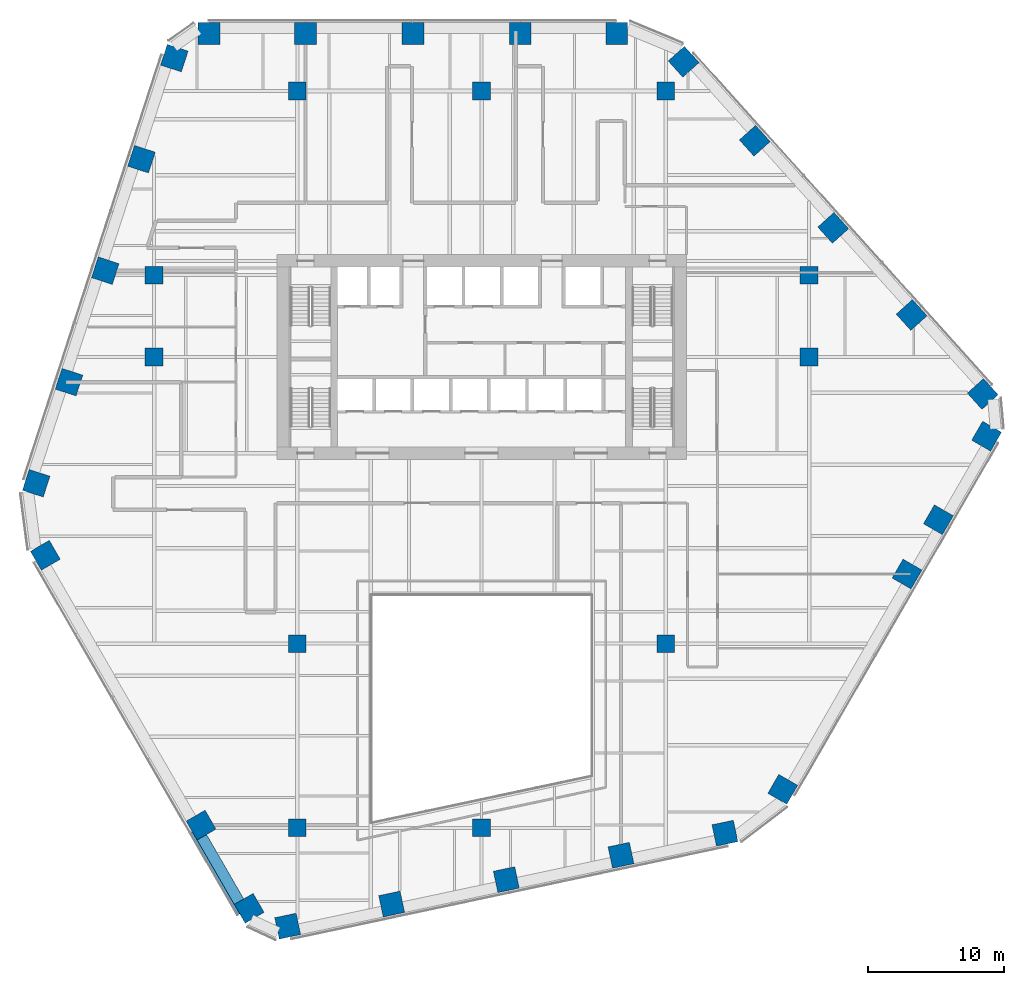
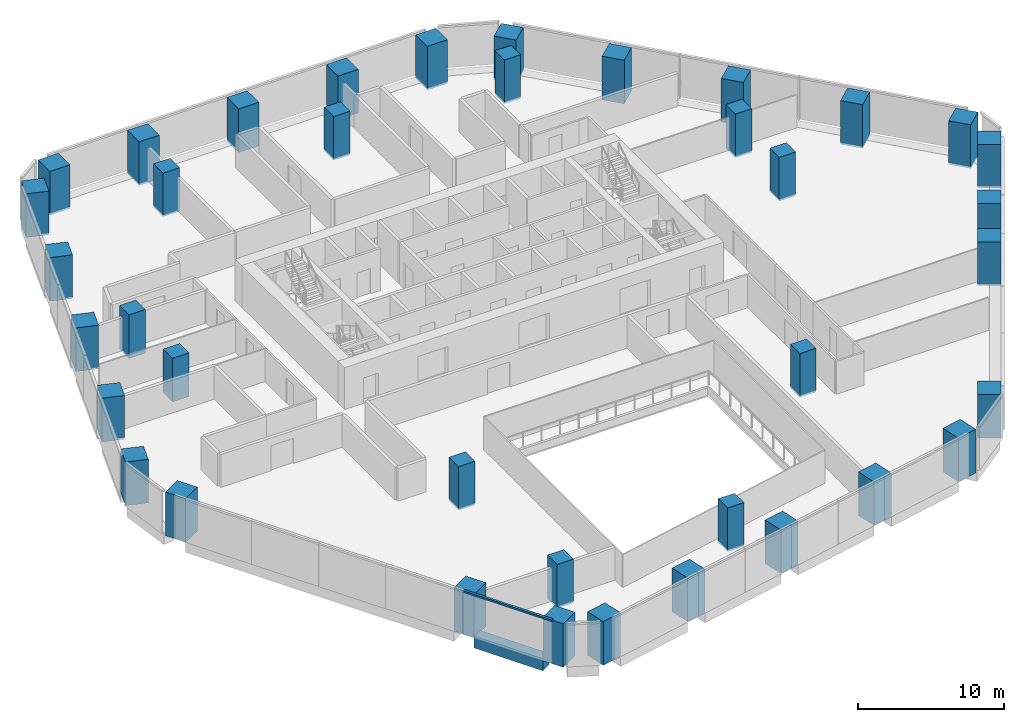
# One storey, part 1 of 21: 38 columns, 1 beam, 1 member, 1 element without a shape of its own.
"""IFC4 building model written with IfcOpenShell, lengths in metres."""

from ifc_helpers import new_model, si_unit, direction, frame, origin, origin_2d, place, context, subcontext, project, spatial, rectangle, extrude, material, layer, layer_set, material_profile, profile_set, type_object, element, aggregate, save


model = new_model("IFC4")

# Units and contexts
model_context = context("Model", 3, precision=1e-05, world=origin(), true_north=direction((0.0, 1.0)))
body_context = subcontext(model_context, "Body", "Model", "MODEL_VIEW")
ifc_project = project(units=[si_unit("LENGTHUNIT", "METRE"), si_unit("AREAUNIT", "SQUARE_METRE"), si_unit("VOLUMEUNIT", "CUBIC_METRE"), si_unit("PLANEANGLEUNIT", "RADIAN"), si_unit("MASSUNIT", "GRAM", prefix="KILO")], contexts=[model_context])

# Site, building, storey
site_placement = place(None, origin())
site = spatial("IfcSite", under=ifc_project, at=site_placement, CompositionType="ELEMENT")
building_placement = place(site_placement, origin())
building = spatial("IfcBuilding", under=site, at=building_placement, Name="Isthmus Gate Tower", CompositionType="ELEMENT")
storey_placement = place(building_placement, frame((0.0, 0.0, 106.199951171875)))
storey = spatial("IfcBuildingStorey", under=building, at=storey_placement, Name="L25", CompositionType="ELEMENT", Elevation=106.199951171875)

# Columns
ifc_material_1 = material(Name="Concrete f'c 70 MPa", Category="concrete")
ifc_material_profile_1 = material_profile(ifc_material_1, rectangle(XDim=1.300048828125, YDim=1.300048828125, at=origin_2d()), Name="RC 1300X1300")
ifc_profile_set_1 = profile_set([ifc_material_profile_1], Name="Concrete f'c 70 MPa")
column_type_1 = type_object("IfcColumnType", Name="RC INTERIOR COLUMN 1300 X 1300", PredefinedType="COLUMN", material=ifc_profile_set_1)
for number, where, z_axis, x_axis, name in (
    (1, (-24.0, 7.5, -0.14990234375), (0.0, 0.0, 1.0), (1.0, 0.0, 0.0), "str-icol-L25-ICA3"),
    (2, (-24.0, 13.5, -0.14990234375), (0.0, 0.0, 1.0), (1.0, 0.0, 0.0), "str-icol-L25-ICA4"),
    (3, (-13.5, -27.0, -0.14990234375), (0.0, 0.0, 1.0), (1.0, 0.0, 0.0), "str-icol-L25-ICB1"),
    (4, (-13.5, -13.5, -0.14990234375), (0.0, 0.0, 1.0), (1.0, 0.0, 0.0), "str-icol-L25-ICB2"),
    (5, (-13.5, 27.0, -0.14990234375), (0.0, 0.0, 1.0), (1.0, 0.0, 0.0), "str-icol-L25-ICB5"),
    (6, (0.0, -27.0, -0.14990234375), (0.0, 0.0, 1.0), (1.0, 0.0, 0.0), "str-icol-L25-ICC1"),
    (7, (0.0, 27.0, -0.14990234375), (0.0, 0.0, 1.0), (1.0, 0.0, 0.0), "str-icol-L25-ICC5"),
    (8, (13.5, -13.5, -0.14990234375), (0.0, 0.0, 1.0), (1.0, 0.0, 0.0), "str-icol-L25-ICD2"),
    (9, (13.5, 27.0, -0.14990234375), (0.0, 0.0, 1.0), (1.0, 0.0, 0.0), "str-icol-L25-ICD5"),
    (10, (24.0, 7.5, -0.14990234375), (0.0, 0.0, 1.0), (1.0, 0.0, 0.0), "str-icol-L25-ICE3"),
    (11, (24.0, 13.5, -0.14990234375), (0.0, 0.0, 1.0), (1.0, 0.0, 0.0), "str-icol-L25-ICE4"),
):
    element("IfcColumn", number, at=place(storey_placement, frame(where, z_axis=z_axis, x_axis=x_axis)), inside=storey, type_object=column_type_1, Name=name, PredefinedType="COLUMN", context=body_context, shape_type="SweptSolid", body=[
        extrude(rectangle(XDim=1.300048828125, YDim=1.300048828125, at=origin_2d()), origin(), (0.0, 0.0, 1.0), 3.64990234375),
    ])
ifc_material_2 = material(Name="Concrete f'c 70 MPa", Category="concrete")
ifc_material_profile_2 = material_profile(ifc_material_2, rectangle(XDim=1.60009765625, YDim=1.60009765625, at=origin_2d()), Name="RC 1600X1600")
ifc_profile_set_2 = profile_set([ifc_material_profile_2], Name="Concrete f'c 70 MPa")
column_type_2 = type_object("IfcColumnType", Name="RC TUBE COLUMN 1600 X 1600", PredefinedType="COLUMN", material=ifc_profile_set_2)
for number, where, z_axis, x_axis, name in (
    (12, (9.90185546875, 31.199951171875, -0.14990234375), (0.0, 0.0, 1.0), (-1.0, 0.0, 0.0), "str-tcol-L25-T1N0"),
    (13, (2.832275390625, 31.199951171875, -0.14990234375), (0.0, 0.0, 1.0), (-1.0, 0.0, 0.0), "str-tcol-L25-T1N1"),
    (14, (-5.037109375, 31.199951171875, -0.14990234375), (0.0, 0.0, 1.0), (-1.0, 0.0, 0.0), "str-tcol-L25-T1N2"),
    (15, (-12.90673828125, 31.199951171875, -0.14990234375), (0.0, 0.0, 1.0), (-1.0, 0.0, 0.0), "str-tcol-L25-T1N3"),
    (16, (-19.976318359375, 31.199951171875, -0.14990234375), (0.0, 0.0, 1.0), (-1.0, 0.0, 0.0), "str-tcol-L25-T1N4"),
    (17, (-22.515380859375, 29.406982421875, -0.14990234375), (0.0, 0.0, 1.0), (-0.309016994375, -0.951056516295, 0.0), "str-tcol-L25-T1NW0"),
    (18, (-24.922607421875, 21.998779296875, -0.14990234375), (0.0, 0.0, 1.0), (-0.309016994375, -0.951056516295, 0.0), "str-tcol-L25-T1NW1"),
    (19, (-27.57666015625, 13.829833984375, -0.14990234375), (0.0, 0.0, 1.0), (-0.309016994375, -0.951056516295, 0.0), "str-tcol-L25-T1NW2"),
    (20, (-30.23095703125, 5.660888671875, -0.14990234375), (0.0, 0.0, 1.0), (-0.309016994375, -0.951056516295, 0.0), "str-tcol-L25-T1NW3"),
    (21, (-32.63818359375, -1.747314453125, -0.14990234375), (0.0, 0.0, 1.0), (-0.309016994375, -0.951056516295, 0.0), "str-tcol-L25-T1NW4"),
    (22, (-31.970947265625, -7.024658203125, -0.14990234375), (0.0, 0.0, 1.0), (0.5, -0.866025403784, 0.0), "str-tcol-L25-T1SW0"),
    (23, (-20.5537109375, -26.800048828125, -0.14990234375), (0.0, 0.0, 1.0), (0.5, -0.866025403784, 0.0), "str-tcol-L25-T1SW2"),
    (24, (-17.031982421875, -32.89990234375, -0.14990234375), (0.0, 0.0, 1.0), (0.5, -0.866025403784, 0.0), "str-tcol-L25-T1SW3"),
    (25, (-14.20947265625, -34.202392578125, -0.14990234375), (0.0, 0.0, 1.0), (0.978147600734, 0.207911690818, 0.0), "str-tcol-L25-T1S0"),
    (26, (-6.59033203125, -32.5830078125, -0.14990234375), (0.0, 0.0, 1.0), (0.978147600734, 0.207911690818, 0.0), "str-tcol-L25-T1S1"),
    (27, (1.811279296875, -30.797119140625, -0.14990234375), (0.0, 0.0, 1.0), (0.978147600734, 0.207911690818, 0.0), "str-tcol-L25-T1S2"),
    (28, (10.213134765625, -29.01123046875, -0.14990234375), (0.0, 0.0, 1.0), (0.978147600734, 0.207911690818, 0.0), "str-tcol-L25-T1S3"),
    (29, (17.832275390625, -27.391845703125, -0.14990234375), (0.0, 0.0, 1.0), (0.978147600734, 0.207911690818, 0.0), "str-tcol-L25-T1S4"),
    (30, (22.069091796875, -24.17529296875, -0.14990234375), (0.0, 0.0, 1.0), (0.5, 0.866025403784, 0.0), "str-tcol-L25-T1SE0"),
    (31, (31.177001953125, -8.39990234375, -0.14990234375), (0.0, 0.0, 1.0), (0.5, 0.866025403784, 0.0), "str-tcol-L25-T1SE1"),
    (32, (33.473388671875, -4.42236328125, -0.14990234375), (0.0, 0.0, 1.0), (0.5, 0.866025403784, 0.0), "str-tcol-L25-T1SE2"),
    (33, (37.008056640625, 1.699951171875, -0.14990234375), (0.0, 0.0, 1.0), (0.5, 0.866025403784, 0.0), "str-tcol-L25-T1SE3"),
    (34, (36.724853515625, 4.79541015625, -0.14990234375), (0.0, 0.0, 1.0), (-0.669130606359, 0.743144825477, 0.0), "str-tcol-L25-T1NE0"),
    (35, (31.5126953125, 10.584228515625, -0.14990234375), (0.0, 0.0, 1.0), (-0.669130606359, 0.743144825477, 0.0), "str-tcol-L25-T1NE1"),
    (36, (25.765380859375, 16.96728515625, -0.14990234375), (0.0, 0.0, 1.0), (-0.669130606359, 0.743144825477, 0.0), "str-tcol-L25-T1NE2"),
    (37, (20.01806640625, 23.350341796875, -0.14990234375), (0.0, 0.0, 1.0), (-0.669130606359, 0.743144825477, 0.0), "str-tcol-L25-T1NE3"),
    (38, (14.805908203125, 29.138916015625, -0.14990234375), (0.0, 0.0, 1.0), (-0.669130606359, 0.743144825477, 0.0), "str-tcol-L25-T1NE4"),
):
    element("IfcColumn", number, at=place(storey_placement, frame(where, z_axis=z_axis, x_axis=x_axis)), inside=storey, type_object=column_type_2, Name=name, PredefinedType="COLUMN", context=body_context, shape_type="SweptSolid", body=[
        extrude(rectangle(XDim=1.60009765625, YDim=1.60009765625, at=origin_2d()), origin(), (0.0, 0.0, 1.0), 3.64990234375),
    ])

# Curtain wall, member
ifc_material_3 = material(Name="Aluminium, pale champagne anodised", Category="aluminium")
ifc_layer = layer(ifc_material_3, 0.199951171875)
ifc_layer_set = layer_set([ifc_layer], Name="CW-1 UNITISED CURTAIN WALL 200 DEEP")
curtain_wall_type = type_object("IfcCurtainWallType", Name="CW-1 UNITISED CURTAIN WALL 200 DEEP", PredefinedType="NOTDEFINED", material=ifc_layer_set)
curtain_wall_placement = place(storey_placement, origin())
curtain_wall = element("IfcCurtainWall", 39, at=curtain_wall_placement, inside=storey, type_object=curtain_wall_type, Name="CW-1 SW L25", PredefinedType="NOTDEFINED")
ifc_material_4 = material(Name="Aluminium, pale champagne anodised", Category="aluminium")
ifc_material_profile_3 = material_profile(ifc_material_4, rectangle(XDim=0.199951171875, YDim=0.14990234375, at=origin_2d()), Name="200x150")
ifc_profile_set_3 = profile_set([ifc_material_profile_3], Name="Aluminium, pale champagne anodised")
member_type = type_object("IfcMemberType", Name="CW-1 TRANSOM 200 X 150", PredefinedType="USERDEFINED", material=ifc_profile_set_3)
member_placement = place(storey_placement, frame((-21.302978515625, -27.302001953125, 3.574951171875), z_axis=(0.499996830835, -0.866027233495, 0.0), x_axis=(0.866027233495, 0.499996830835, 0.0)))
member = element("IfcMember", 40, at=member_placement, type_object=member_type, Name="CW-1 transom", ObjectType="TRANSOM", PredefinedType="USERDEFINED", context=body_context, shape_type="SweptSolid", body=[
    extrude(rectangle(XDim=0.199951171875, YDim=0.14990234375, at=origin_2d()), origin(), (0.0, 0.0, 1.0), 6.9833984375),
])
aggregate(curtain_wall, [member])

# Beam
ifc_material_5 = material(Name="Concrete f'c 70 MPa", Category="concrete")
ifc_material_profile_4 = material_profile(ifc_material_5, rectangle(XDim=0.800048828125, YDim=1.0, at=origin_2d()), Name="RC 800X1000")
ifc_profile_set_4 = profile_set([ifc_material_profile_4], Name="Concrete f'c 70 MPa")
beam_type = type_object("IfcBeamType", Name="RC SPANDREL 800 X 1000", PredefinedType="SPANDREL", material=ifc_profile_set_4)
beam_placement = place(storey_placement, frame((-17.7783203125, -32.406982421875, -0.5), z_axis=(-0.499998104561, 0.866026498114, 0.0), x_axis=(-0.866026498114, -0.499998104561, 0.0)))
element("IfcBeam", 41, at=beam_placement, inside=storey, type_object=beam_type, Name="str-spandrel-L25-15", PredefinedType="SPANDREL", context=body_context, shape_type="SweptSolid", body=[
    extrude(rectangle(XDim=0.800048828125, YDim=1.0, at=origin_2d()), origin(), (0.0, 0.0, 1.0), 5.443359375),
])

save(model, "model.ifc")
